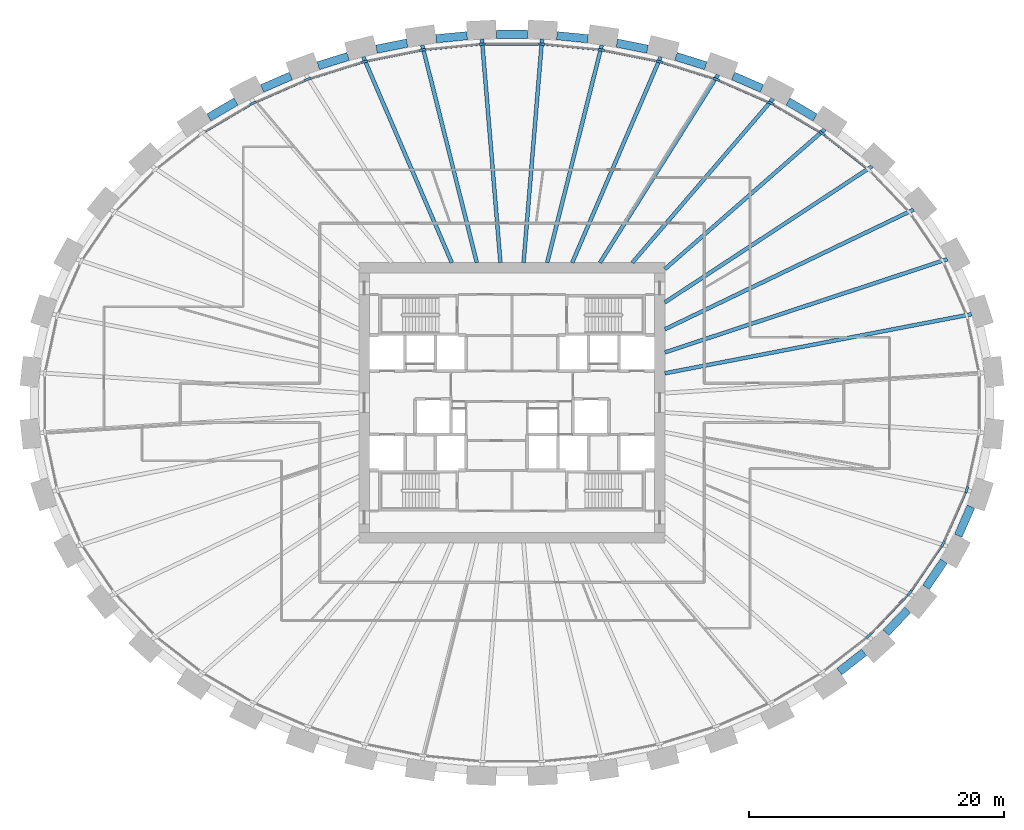
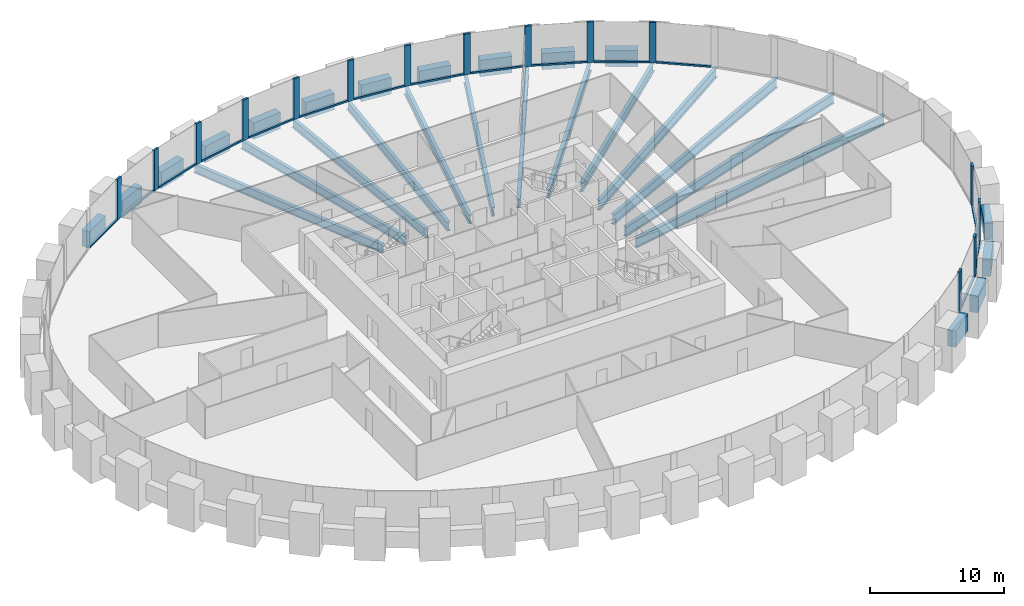
# One storey, part 3 of 10: 30 members, 28 beams, 1 element without a shape of its own.
"""IFC4 building model written with IfcOpenShell, lengths in metres."""

from ifc_helpers import new_model, si_unit, direction, frame, origin, origin_2d, place, context, subcontext, project, spatial, rectangle, i_section, extrude, source, transform, mapped, material, material_profile, profile_set, type_object, element, aggregate, save


model = new_model("IFC4")

# Units and contexts
model_context = context("Model", 3, precision=1e-05, world=origin(), true_north=direction((0.0, 1.0)))
body_context = subcontext(model_context, "Body", "Model", "MODEL_VIEW")
ifc_project = project(units=[si_unit("LENGTHUNIT", "METRE"), si_unit("AREAUNIT", "SQUARE_METRE"), si_unit("VOLUMEUNIT", "CUBIC_METRE"), si_unit("PLANEANGLEUNIT", "RADIAN"), si_unit("MASSUNIT", "GRAM", prefix="KILO")], contexts=[model_context])

# Site, building, storey
site_placement = place(None, origin())
site = spatial("IfcSite", under=ifc_project, at=site_placement, CompositionType="ELEMENT")
building_placement = place(site_placement, origin())
building = spatial("IfcBuilding", under=site, at=building_placement, Name="Embergate Tower", CompositionType="ELEMENT")
storey_placement = place(building_placement, frame((0.0, 0.0, 156.0)))
storey = spatial("IfcBuildingStorey", under=building, at=storey_placement, Name="L34", CompositionType="ELEMENT", Elevation=156.0)

# Beams
ifc_material_1 = material(Name="Concrete C70", Category="concrete")
ifc_material_profile_1 = material_profile(ifc_material_1, rectangle(XDim=0.64990234375, YDim=1.5, at=origin_2d()), Name="RC 650x1500")
ifc_profile_set_1 = profile_set([ifc_material_profile_1], Name="Concrete C70")
beam_type_1 = type_object("IfcBeamType", Name="Spandrel beam RC 650x1500 C70", PredefinedType="BEAM", material=ifc_profile_set_1)
shared_shape_1 = source(origin(), body_context, "Body", "SweptSolid", [
    extrude(rectangle(XDim=0.64990234375, YDim=1.5, at=origin_2d()), origin(), (0.0, 0.0, 1.0), 2.48828125),
])
beam_1_placement = place(storey_placement, frame((35.0419921875, -10.43505859375, 0.0), z_axis=(0.401472379967, 0.91587113074, 0.0), x_axis=(-0.91587113074, 0.401472379967, 0.0)))
element("IfcBeam", 1, at=beam_1_placement, inside=storey, type_object=beam_type_1, Name="SPN-L34-41", PredefinedType="BEAM", context=body_context, shape_type="MappedRepresentation", body=[
    mapped(shared_shape_1, transform((0.0, 0.0, 0.0))),
])
shared_shape_2 = source(origin(), body_context, "Body", "SweptSolid", [
    extrude(rectangle(XDim=0.64990234375, YDim=1.5, at=origin_2d()), origin(), (0.0, 0.0, 1.0), 2.4775390625),
])
beam_2_placement = place(storey_placement, frame((32.51806640625, -14.486083984375, 0.0), z_axis=(0.562159078618, 0.827029123022, 0.0), x_axis=(-0.827029123022, 0.562159078618, 0.0)))
element("IfcBeam", 2, at=beam_2_placement, inside=storey, type_object=beam_type_1, Name="SPN-L34-40", PredefinedType="BEAM", context=body_context, shape_type="MappedRepresentation", body=[
    mapped(shared_shape_2, transform((0.0, 0.0, 0.0))),
])
shared_shape_3 = source(origin(), body_context, "Body", "SweptSolid", [
    extrude(rectangle(XDim=0.64990234375, YDim=1.5, at=origin_2d()), origin(), (0.0, 0.0, 1.0), 2.473388671875),
])
beam_3_placement = place(storey_placement, frame((29.364990234375, -18.06494140625, 0.0), z_axis=(0.69012823406, 0.723687101276, 0.0), x_axis=(-0.723687101276, 0.69012823406, 0.0)))
element("IfcBeam", 3, at=beam_3_placement, inside=storey, type_object=beam_type_1, Name="SPN-L34-39", PredefinedType="BEAM", context=body_context, shape_type="MappedRepresentation", body=[
    mapped(shared_shape_3, transform((0.0, 0.0, 0.0))),
])
shared_shape_4 = source(origin(), body_context, "Body", "SweptSolid", [
    extrude(rectangle(XDim=0.64990234375, YDim=1.5, at=origin_2d()), origin(), (0.0, 0.0, 1.0), 2.466552734375),
])
beam_4_placement = place(storey_placement, frame((25.702880859375, -21.112060546875, 0.0), z_axis=(0.788172909908, 0.615453868367, 0.0), x_axis=(-0.615453868367, 0.788172909908, 0.0)))
element("IfcBeam", 4, at=beam_4_placement, inside=storey, type_object=beam_type_1, Name="SPN-L34-38", PredefinedType="BEAM", context=body_context, shape_type="MappedRepresentation", body=[
    mapped(shared_shape_4, transform((0.0, 0.0, 0.0))),
])
shared_shape_5 = source(origin(), body_context, "Body", "SweptSolid", [
    extrude(rectangle(XDim=0.64990234375, YDim=1.5, at=origin_2d()), origin(), (0.0, 0.0, 1.0), 2.46142578125),
])
for number, where, z_axis, x_axis, name in (
    (5, (23.801025390625, 22.405029296875, 0.0), (-0.86214832468, 0.506655964389, 0.0), (-0.506655964389, -0.86214832468, 0.0), "SPN-L34-05"),
    (6, (-21.678955078125, 23.652099609375, 0.0), (-0.86214832468, -0.506655964389, 0.0), (0.506655964389, -0.86214832468, 0.0), "SPN-L34-15"),
):
    element("IfcBeam", number, at=place(storey_placement, frame(where, z_axis=z_axis, x_axis=x_axis)), inside=storey, type_object=beam_type_1, Name=name, PredefinedType="BEAM", context=body_context, shape_type="MappedRepresentation", body=[
        mapped(shared_shape_5, transform((0.0, 0.0, 0.0))),
    ])
shared_shape_6 = source(origin(), body_context, "Body", "SweptSolid", [
    extrude(rectangle(XDim=0.64990234375, YDim=1.5, at=origin_2d()), origin(), (0.0, 0.0, 1.0), 2.456787109375),
])
for number, where, z_axis, x_axis, name in (
    (7, (19.62109375, 24.679931640625, 0.0), (-0.916257660854, 0.40058943936, 0.0), (-0.40058943936, -0.916257660854, 0.0), "SPN-L34-06"),
    (8, (-17.3701171875, 25.6640625, 0.0), (-0.916257660854, -0.40058943936, 0.0), (0.40058943936, -0.916257660854, 0.0), "SPN-L34-14"),
):
    element("IfcBeam", number, at=place(storey_placement, frame(where, z_axis=z_axis, x_axis=x_axis)), inside=storey, type_object=beam_type_1, Name=name, PredefinedType="BEAM", context=body_context, shape_type="MappedRepresentation", body=[
        mapped(shared_shape_6, transform((0.0, 0.0, 0.0))),
    ])
shared_shape_7 = source(origin(), body_context, "Body", "SweptSolid", [
    extrude(rectangle(XDim=0.64990234375, YDim=1.5, at=origin_2d()), origin(), (0.0, 0.0, 1.0), 2.4541015625),
])
for number, where, z_axis, x_axis, name in (
    (9, (15.215087890625, 26.468017578125, 0.0), (-0.954736297307, 0.29745353016, 0.0), (-0.29745353016, -0.954736297307, 0.0), "SPN-L34-07"),
    (10, (-12.8720703125, 27.197998046875, 0.0), (-0.954736297307, -0.29745353016, 0.0), (0.29745353016, -0.954736297307, 0.0), "SPN-L34-13"),
):
    element("IfcBeam", number, at=place(storey_placement, frame(where, z_axis=z_axis, x_axis=x_axis)), inside=storey, type_object=beam_type_1, Name=name, PredefinedType="BEAM", context=body_context, shape_type="MappedRepresentation", body=[
        mapped(shared_shape_7, transform((0.0, 0.0, 0.0))),
    ])
shared_shape_8 = source(origin(), body_context, "Body", "SweptSolid", [
    extrude(rectangle(XDim=0.64990234375, YDim=1.5, at=origin_2d()), origin(), (0.0, 0.0, 1.0), 2.453125),
])
for number, where, z_axis, x_axis, name in (
    (11, (10.64306640625, 27.76611328125, 0.0), (-0.980431102511, 0.196862523679, 0.0), (-0.196862523679, -0.980431102511, 0.0), "SPN-L34-08"),
    (12, (-8.238037109375, 28.2490234375, 0.0), (-0.980431102511, -0.196862523679, 0.0), (0.196862523679, -0.980431102511, 0.0), "SPN-L34-12"),
):
    element("IfcBeam", number, at=place(storey_placement, frame(where, z_axis=z_axis, x_axis=x_axis)), inside=storey, type_object=beam_type_1, Name=name, PredefinedType="BEAM", context=body_context, shape_type="MappedRepresentation", body=[
        mapped(shared_shape_8, transform((0.0, 0.0, 0.0))),
    ])
shared_shape_9 = source(origin(), body_context, "Body", "SweptSolid", [
    extrude(rectangle(XDim=0.64990234375, YDim=1.5, at=origin_2d()), origin(), (0.0, 0.0, 1.0), 2.45166015625),
])
for number, where, z_axis, x_axis, name in (
    (13, (5.962890625, 28.587890625, 0.0), (-0.995197569904, 0.097886653113, 0.0), (-0.097886653113, -0.995197569904, 0.0), "SPN-L34-09"),
    (14, (-3.52294921875, 28.827880859375, 0.0), (-0.995197569904, -0.097886653113, 0.0), (0.097886653113, -0.995197569904, 0.0), "SPN-L34-11"),
):
    element("IfcBeam", number, at=place(storey_placement, frame(where, z_axis=z_axis, x_axis=x_axis)), inside=storey, type_object=beam_type_1, Name=name, PredefinedType="BEAM", context=body_context, shape_type="MappedRepresentation", body=[
        mapped(shared_shape_9, transform((0.0, 0.0, 0.0))),
    ])
shared_shape_10 = source(origin(), body_context, "Body", "SweptSolid", [
    extrude(rectangle(XDim=0.64990234375, YDim=1.5, at=origin_2d()), origin(), (0.0, 0.0, 1.0), 2.4521484375),
])
beam_5_placement = place(storey_placement, frame((1.22607421875, 28.94091796875, 0.0), z_axis=(-1.0, 0.0, 0.0), x_axis=(0.0, -1.0, 0.0)))
element("IfcBeam", 15, at=beam_5_placement, inside=storey, type_object=beam_type_1, Name="SPN-L34-10", PredefinedType="BEAM", context=body_context, shape_type="MappedRepresentation", body=[
    mapped(shared_shape_10, transform((0.0, 0.0, 0.0))),
])
ifc_material_2 = material(Name="Steel Q355B", Category="steel")
ifc_material_profile_2 = material_profile(ifc_material_2, i_section(OverallWidth=0.300048828125, OverallDepth=0.89990234375, WebThickness=0.01611328125, FlangeThickness=0.028076171875, FilletRadius=0.028076171875, at=origin_2d()), Name="HN 900x300x16x28")
ifc_profile_set_2 = profile_set([ifc_material_profile_2], Name="Steel Q355 grade B")
beam_type_2 = type_object("IfcBeamType", Name="Radial girder HN 900x300x16x28", PredefinedType="BEAM", material=ifc_profile_set_2)
shared_shape_11 = source(origin(), body_context, "Body", "SweptSolid", [
    extrude(i_section(OverallWidth=0.300048828125, OverallDepth=0.89990234375, WebThickness=0.01611328125, FlangeThickness=0.028076171875, FilletRadius=0.028076171875, at=origin_2d()), origin(), (0.0, 0.0, 1.0), 24.52392578125),
])
beam_6_placement = place(storey_placement, frame((36.080078125, 6.958984375, -0.64990234375), z_axis=(-0.981906046022, -0.189368732333, 0.0), x_axis=(0.189368732333, -0.981906046022, 0.0)))
element("IfcBeam", 16, at=beam_6_placement, inside=storey, type_object=beam_type_2, Name="GIR-L34-01", PredefinedType="BEAM", context=body_context, shape_type="MappedRepresentation", body=[
    mapped(shared_shape_11, transform((0.0, 0.0, 0.0))),
])
shared_shape_12 = source(origin(), body_context, "Body", "SweptSolid", [
    extrude(i_section(OverallWidth=0.300048828125, OverallDepth=0.89990234375, WebThickness=0.01611328125, FlangeThickness=0.028076171875, FilletRadius=0.028076171875, at=origin_2d()), origin(), (0.0, 0.0, 1.0), 23.36328125),
])
beam_7_placement = place(storey_placement, frame((34.18798828125, 11.27490234375, -0.64990234375), z_axis=(-0.949694119995, -0.313178987877, 0.0), x_axis=(0.313178987877, -0.949694119995, 0.0)))
element("IfcBeam", 17, at=beam_7_placement, inside=storey, type_object=beam_type_2, Name="GIR-L34-02", PredefinedType="BEAM", context=body_context, shape_type="MappedRepresentation", body=[
    mapped(shared_shape_12, transform((0.0, 0.0, 0.0))),
])
shared_shape_13 = source(origin(), body_context, "Body", "SweptSolid", [
    extrude(i_section(OverallWidth=0.300048828125, OverallDepth=0.89990234375, WebThickness=0.01611328125, FlangeThickness=0.028076171875, FilletRadius=0.028076171875, at=origin_2d()), origin(), (0.0, 0.0, 1.0), 21.680419921875),
])
beam_8_placement = place(storey_placement, frame((31.537109375, 15.172119140625, -0.64990234375), z_axis=(-0.90113839793, -0.433531530315, 0.0), x_axis=(0.433531530315, -0.90113839793, 0.0)))
element("IfcBeam", 18, at=beam_8_placement, inside=storey, type_object=beam_type_2, Name="GIR-L34-03", PredefinedType="BEAM", context=body_context, shape_type="MappedRepresentation", body=[
    mapped(shared_shape_13, transform((0.0, 0.0, 0.0))),
])
shared_shape_14 = source(origin(), body_context, "Body", "SweptSolid", [
    extrude(i_section(OverallWidth=0.300048828125, OverallDepth=0.89990234375, WebThickness=0.01611328125, FlangeThickness=0.028076171875, FilletRadius=0.028076171875, at=origin_2d()), origin(), (0.0, 0.0, 1.0), 19.484130859375),
])
beam_9_placement = place(storey_placement, frame((28.283935546875, 18.5830078125, -0.64990234375), z_axis=(-0.835750168369, -0.549109876137, 0.0), x_axis=(0.549109876137, -0.835750168369, 0.0)))
element("IfcBeam", 19, at=beam_9_placement, inside=storey, type_object=beam_type_2, Name="GIR-L34-04", PredefinedType="BEAM", context=body_context, shape_type="MappedRepresentation", body=[
    mapped(shared_shape_14, transform((0.0, 0.0, 0.0))),
])
ifc_material_profile_3 = material_profile(ifc_material_2, i_section(OverallWidth=0.300048828125, OverallDepth=0.800048828125, WebThickness=0.013916015625, FlangeThickness=0.02587890625, FilletRadius=0.028076171875, at=origin_2d()), Name="HN 800x300x14x26")
ifc_profile_set_3 = profile_set([ifc_material_profile_3], Name="Steel Q355 grade B")
beam_type_3 = type_object("IfcBeamType", Name="Radial girder HN 800x300x14x26", PredefinedType="BEAM", material=ifc_profile_set_3)
shared_shape_15 = source(origin(), body_context, "Body", "SweptSolid", [
    extrude(i_section(OverallWidth=0.300048828125, OverallDepth=0.800048828125, WebThickness=0.013916015625, FlangeThickness=0.02587890625, FilletRadius=0.028076171875, at=origin_2d()), origin(), (0.0, 0.0, 1.0), 16.6953125),
])
beam_10_placement = place(storey_placement, frame((24.56689453125, 21.485107421875, -0.60009765625), z_axis=(-0.752719804108, -0.658341018397, 0.0), x_axis=(0.658341018397, -0.752719804108, 0.0)))
element("IfcBeam", 20, at=beam_10_placement, inside=storey, type_object=beam_type_3, Name="GIR-L34-05", PredefinedType="BEAM", context=body_context, shape_type="MappedRepresentation", body=[
    mapped(shared_shape_15, transform((0.0, 0.0, 0.0))),
])
shared_shape_16 = source(origin(), body_context, "Body", "SweptSolid", [
    extrude(i_section(OverallWidth=0.300048828125, OverallDepth=0.800048828125, WebThickness=0.013916015625, FlangeThickness=0.02587890625, FilletRadius=0.028076171875, at=origin_2d()), origin(), (0.0, 0.0, 1.0), 16.970458984375),
])
beam_11_placement = place(storey_placement, frame((20.501953125, 23.875, -0.60009765625), z_axis=(-0.651477073616, -0.758668321833, 0.0), x_axis=(0.758668321833, -0.651477073616, 0.0)))
element("IfcBeam", 21, at=beam_11_placement, inside=storey, type_object=beam_type_3, Name="GIR-L34-06", PredefinedType="BEAM", context=body_context, shape_type="MappedRepresentation", body=[
    mapped(shared_shape_16, transform((0.0, 0.0, 0.0))),
])
shared_shape_17 = source(origin(), body_context, "Body", "SweptSolid", [
    extrude(i_section(OverallWidth=0.300048828125, OverallDepth=0.800048828125, WebThickness=0.013916015625, FlangeThickness=0.02587890625, FilletRadius=0.028076171875, at=origin_2d()), origin(), (0.0, 0.0, 1.0), 17.433837890625),
])
beam_12_placement = place(storey_placement, frame((16.179931640625, 25.763916015625, -0.60009765625), z_axis=(-0.531834233156, -0.846848480216, 0.0), x_axis=(0.846848480216, -0.531834233156, 0.0)))
element("IfcBeam", 22, at=beam_12_placement, inside=storey, type_object=beam_type_3, Name="GIR-L34-07", PredefinedType="BEAM", context=body_context, shape_type="MappedRepresentation", body=[
    mapped(shared_shape_17, transform((0.0, 0.0, 0.0))),
])
shared_shape_18 = source(origin(), body_context, "Body", "SweptSolid", [
    extrude(i_section(OverallWidth=0.300048828125, OverallDepth=0.800048828125, WebThickness=0.013916015625, FlangeThickness=0.02587890625, FilletRadius=0.028076171875, at=origin_2d()), origin(), (0.0, 0.0, 1.0), 17.59619140625),
])
for number, where, z_axis, x_axis, name in (
    (23, (11.677001953125, 27.166015625, -0.60009765625), (-0.394912057755, -0.918718926898, 0.0), (0.918718926898, -0.394912057755, 0.0), "GIR-L34-08"),
    (24, (-11.677001953125, 27.166015625, -0.60009765625), (0.394912057755, -0.918718926898, 0.0), (0.918718926898, 0.394912057755, 0.0), "GIR-L34-13"),
):
    element("IfcBeam", number, at=place(storey_placement, frame(where, z_axis=z_axis, x_axis=x_axis)), inside=storey, type_object=beam_type_3, Name=name, PredefinedType="BEAM", context=body_context, shape_type="MappedRepresentation", body=[
        mapped(shared_shape_18, transform((0.0, 0.0, 0.0))),
    ])
shared_shape_19 = source(origin(), body_context, "Body", "SweptSolid", [
    extrude(i_section(OverallWidth=0.300048828125, OverallDepth=0.800048828125, WebThickness=0.013916015625, FlangeThickness=0.02587890625, FilletRadius=0.028076171875, at=origin_2d()), origin(), (0.0, 0.0, 1.0), 17.624267578125),
])
for number, where, z_axis, x_axis, name in (
    (25, (7.052001953125, 28.093994140625, -0.60009765625), (-0.24347096124, -0.969908186909, 0.0), (0.969908186909, -0.24347096124, 0.0), "GIR-L34-09"),
    (26, (-7.052001953125, 28.093994140625, -0.60009765625), (0.24347096124, -0.969908186909, 0.0), (0.969908186909, 0.24347096124, 0.0), "GIR-L34-12"),
):
    element("IfcBeam", number, at=place(storey_placement, frame(where, z_axis=z_axis, x_axis=x_axis)), inside=storey, type_object=beam_type_3, Name=name, PredefinedType="BEAM", context=body_context, shape_type="MappedRepresentation", body=[
        mapped(shared_shape_19, transform((0.0, 0.0, 0.0))),
    ])
shared_shape_20 = source(origin(), body_context, "Body", "SweptSolid", [
    extrude(i_section(OverallWidth=0.300048828125, OverallDepth=0.800048828125, WebThickness=0.013916015625, FlangeThickness=0.02587890625, FilletRadius=0.028076171875, at=origin_2d()), origin(), (0.0, 0.0, 1.0), 17.61572265625),
])
for number, where, z_axis, x_axis, name in (
    (27, (2.35888671875, 28.555908203125, -0.60009765625), (-0.0823102465, -0.996606754603, 0.0), (0.996606754603, -0.0823102465, 0.0), "GIR-L34-10"),
    (28, (-2.35888671875, 28.555908203125, -0.60009765625), (0.0823102465, -0.996606754603, 0.0), (0.996606754603, 0.0823102465, 0.0), "GIR-L34-11"),
):
    element("IfcBeam", number, at=place(storey_placement, frame(where, z_axis=z_axis, x_axis=x_axis)), inside=storey, type_object=beam_type_3, Name=name, PredefinedType="BEAM", context=body_context, shape_type="MappedRepresentation", body=[
        mapped(shared_shape_20, transform((0.0, 0.0, 0.0))),
    ])

# Curtain wall, members
ifc_material_3 = material(Name="Aluminium and glass", Category="aluminium")
curtain_wall_type = type_object("IfcCurtainWallType", Name="Recessed office glazing", PredefinedType="NOTDEFINED", material=ifc_material_3)
curtain_wall_placement = place(storey_placement, origin())
curtain_wall = element("IfcCurtainWall", 29, at=curtain_wall_placement, inside=storey, type_object=curtain_wall_type, Name="Recessed office glazing ring", ObjectType="RECESSED OFFICE GLAZING", PredefinedType="USERDEFINED")
ifc_material_4 = material(Name="Aluminium, thermally broken", Category="aluminium")
ifc_material_profile_4 = material_profile(ifc_material_4, rectangle(XDim=0.179931640625, YDim=0.52001953125, at=origin_2d()), Name="AL 520x180")
ifc_profile_set_4 = profile_set([ifc_material_profile_4], Name="Aluminium, thermally broken")
member_type_1 = type_object("IfcMemberType", Name="Office mullion", PredefinedType="MULLION", material=ifc_profile_set_4)
shared_shape_21 = source(origin(), body_context, "Body", "SweptSolid", [
    extrude(rectangle(XDim=0.179931640625, YDim=0.52001953125, at=origin_2d()), origin(), (0.0, 0.0, 1.0), 3.699951171875),
])
member_1_placement = place(storey_placement, frame((24.3486328125, 21.161376953125, 0.0), z_axis=(0.0, 0.0, 1.0), x_axis=(-0.562217618544, -0.826989328467, 0.0)))
member_1 = element("IfcMember", 30, at=member_1_placement, type_object=member_type_1, Name="CW mullion 6", PredefinedType="MULLION", context=body_context, shape_type="MappedRepresentation", body=[
    mapped(shared_shape_21, transform((0.0, 0.0, 0.0))),
])
member_2_placement = place(storey_placement, frame((20.3251953125, 23.52685546875, 0.0), z_axis=(0.0, 0.0, 1.0), x_axis=(-0.454511380526, -0.890740930334, 0.0)))
member_2 = element("IfcMember", 31, at=member_2_placement, type_object=member_type_1, Name="CW mullion 7", PredefinedType="MULLION", context=body_context, shape_type="MappedRepresentation", body=[
    mapped(shared_shape_21, transform((0.0, 0.0, 0.0))),
])
member_3_placement = place(storey_placement, frame((16.044921875, 25.3984375, 0.0), z_axis=(0.0, 0.0, 1.0), x_axis=(-0.349502682851, -0.936935363128, 0.0)))
member_3 = element("IfcMember", 32, at=member_3_placement, type_object=member_type_1, Name="CW mullion 8", PredefinedType="MULLION", context=body_context, shape_type="MappedRepresentation", body=[
    mapped(shared_shape_21, transform((0.0, 0.0, 0.0))),
])
member_4_placement = place(storey_placement, frame((11.581298828125, 26.78857421875, 0.0), z_axis=(0.0, 0.0, 1.0), x_axis=(-0.24731188137, -0.968935928394, 0.0)))
member_4 = element("IfcMember", 33, at=member_4_placement, type_object=member_type_1, Name="CW mullion 9", PredefinedType="MULLION", context=body_context, shape_type="MappedRepresentation", body=[
    mapped(shared_shape_21, transform((0.0, 0.0, 0.0))),
])
member_5_placement = place(storey_placement, frame((6.99560546875, 27.708251953125, 0.0), z_axis=(0.0, 0.0, 1.0), x_axis=(-0.147412382818, -0.989075118174, 0.0)))
member_5 = element("IfcMember", 34, at=member_5_placement, type_object=member_type_1, Name="CW mullion 10", PredefinedType="MULLION", context=body_context, shape_type="MappedRepresentation", body=[
    mapped(shared_shape_21, transform((0.0, 0.0, 0.0))),
])
member_6_placement = place(storey_placement, frame((2.33935546875, 28.166015625, 0.0), z_axis=(0.0, 0.0, 1.0), x_axis=(-0.048971796621, -0.998800161762, 0.0)))
member_6 = element("IfcMember", 35, at=member_6_placement, type_object=member_type_1, Name="CW mullion 11", PredefinedType="MULLION", context=body_context, shape_type="MappedRepresentation", body=[
    mapped(shared_shape_21, transform((0.0, 0.0, 0.0))),
])
member_7_placement = place(storey_placement, frame((-2.33935546875, 28.166015625, 0.0), z_axis=(0.0, 0.0, 1.0), x_axis=(0.048971796621, -0.998800161762, 0.0)))
member_7 = element("IfcMember", 36, at=member_7_placement, type_object=member_type_1, Name="CW mullion 12", PredefinedType="MULLION", context=body_context, shape_type="MappedRepresentation", body=[
    mapped(shared_shape_21, transform((0.0, 0.0, 0.0))),
])
member_8_placement = place(storey_placement, frame((-6.99560546875, 27.708251953125, 0.0), z_axis=(0.0, 0.0, 1.0), x_axis=(0.147412382818, -0.989075118174, 0.0)))
member_8 = element("IfcMember", 37, at=member_8_placement, type_object=member_type_1, Name="CW mullion 13", PredefinedType="MULLION", context=body_context, shape_type="MappedRepresentation", body=[
    mapped(shared_shape_21, transform((0.0, 0.0, 0.0))),
])
member_9_placement = place(storey_placement, frame((-11.581298828125, 26.78857421875, 0.0), z_axis=(0.0, 0.0, 1.0), x_axis=(0.24731188137, -0.968935928394, 0.0)))
member_9 = element("IfcMember", 38, at=member_9_placement, type_object=member_type_1, Name="CW mullion 14", PredefinedType="MULLION", context=body_context, shape_type="MappedRepresentation", body=[
    mapped(shared_shape_21, transform((0.0, 0.0, 0.0))),
])
member_10_placement = place(storey_placement, frame((-16.044921875, 25.3984375, 0.0), z_axis=(0.0, 0.0, 1.0), x_axis=(0.349502682851, -0.936935363128, 0.0)))
member_10 = element("IfcMember", 39, at=member_10_placement, type_object=member_type_1, Name="CW mullion 15", PredefinedType="MULLION", context=body_context, shape_type="MappedRepresentation", body=[
    mapped(shared_shape_21, transform((0.0, 0.0, 0.0))),
])
member_11_placement = place(storey_placement, frame((-20.3251953125, 23.52685546875, 0.0), z_axis=(0.0, 0.0, 1.0), x_axis=(0.454511380526, -0.890740930334, 0.0)))
member_11 = element("IfcMember", 40, at=member_11_placement, type_object=member_type_1, Name="CW mullion 16", PredefinedType="MULLION", context=body_context, shape_type="MappedRepresentation", body=[
    mapped(shared_shape_21, transform((0.0, 0.0, 0.0))),
])
member_12_placement = place(storey_placement, frame((28.023193359375, -18.29345703125, 0.0), z_axis=(0.0, 0.0, 1.0), x_axis=(-0.671226533956, 0.741252278319, 0.0)))
member_12 = element("IfcMember", 41, at=member_12_placement, type_object=member_type_1, Name="CW mullion 40", PredefinedType="MULLION", context=body_context, shape_type="MappedRepresentation", body=[
    mapped(shared_shape_21, transform((0.0, 0.0, 0.0))),
])
member_13_placement = place(storey_placement, frame((31.23486328125, -14.92578125, 0.0), z_axis=(0.0, 0.0, 1.0), x_axis=(-0.777872564355, 0.628422050555, 0.0)))
member_13 = element("IfcMember", 42, at=member_13_placement, type_object=member_type_1, Name="CW mullion 41", PredefinedType="MULLION", context=body_context, shape_type="MappedRepresentation", body=[
    mapped(shared_shape_21, transform((0.0, 0.0, 0.0))),
])
member_14_placement = place(storey_placement, frame((33.846923828125, -11.084716796875, 0.0), z_axis=(0.0, 0.0, 1.0), x_axis=(-0.875001895832, 0.484119491748, 0.0)))
member_14 = element("IfcMember", 43, at=member_14_placement, type_object=member_type_1, Name="CW mullion 42", PredefinedType="MULLION", context=body_context, shape_type="MappedRepresentation", body=[
    mapped(shared_shape_21, transform((0.0, 0.0, 0.0))),
])
member_15_placement = place(storey_placement, frame((35.708984375, -6.8388671875, 0.0), z_axis=(0.0, 0.0, 1.0), x_axis=(-0.951498334951, 0.307653894149, 0.0)))
member_15 = element("IfcMember", 44, at=member_15_placement, type_object=member_type_1, Name="CW mullion 43", PredefinedType="MULLION", context=body_context, shape_type="MappedRepresentation", body=[
    mapped(shared_shape_21, transform((0.0, 0.0, 0.0))),
])
ifc_material_profile_5 = material_profile(ifc_material_4, rectangle(XDim=0.179931640625, YDim=0.14990234375, at=origin_2d()), Name="AL 150x180")
ifc_profile_set_5 = profile_set([ifc_material_profile_5], Name="Aluminium, thermally broken")
member_type_2 = type_object("IfcMemberType", Name="Office sill transom", PredefinedType="USERDEFINED", material=ifc_profile_set_5)
shared_shape_22 = source(origin(), body_context, "Body", "SweptSolid", [
    extrude(rectangle(XDim=0.179931640625, YDim=0.14990234375, at=origin_2d()), origin(), (0.0, 0.0, 1.0), 4.1162109375),
])
member_16_placement = place(storey_placement, frame((33.951416015625, -10.8466796875, 0.074951171875), z_axis=(0.401593425876, 0.915818060694, 0.0), x_axis=(-0.915818060694, 0.401593425876, 0.0)))
member_16 = element("IfcMember", 45, at=member_16_placement, type_object=member_type_2, Name="CW transom 42.1", ObjectType="TRANSOM", PredefinedType="USERDEFINED", context=body_context, shape_type="MappedRepresentation", body=[
    mapped(shared_shape_22, transform((0.0, 0.0, 0.0))),
])
shared_shape_23 = source(origin(), body_context, "Body", "SweptSolid", [
    extrude(rectangle(XDim=0.179931640625, YDim=0.14990234375, at=origin_2d()), origin(), (0.0, 0.0, 1.0), 4.124755859375),
])
member_17_placement = place(storey_placement, frame((31.381103515625, -14.710693359375, 0.074951171875), z_axis=(0.562339161446, 0.826906686092, 0.0), x_axis=(-0.826906686092, 0.562339161446, 0.0)))
member_17 = element("IfcMember", 46, at=member_17_placement, type_object=member_type_2, Name="CW transom 41.1", ObjectType="TRANSOM", PredefinedType="USERDEFINED", context=body_context, shape_type="MappedRepresentation", body=[
    mapped(shared_shape_23, transform((0.0, 0.0, 0.0))),
])
shared_shape_24 = source(origin(), body_context, "Body", "SweptSolid", [
    extrude(rectangle(XDim=0.179931640625, YDim=0.14990234375, at=origin_2d()), origin(), (0.0, 0.0, 1.0), 4.133544921875),
])
member_18_placement = place(storey_placement, frame((28.20263671875, -18.105224609375, 0.074951171875), z_axis=(0.690134325915, 0.723681291864, 0.0), x_axis=(-0.723681291864, 0.690134325915, 0.0)))
member_18 = element("IfcMember", 47, at=member_18_placement, type_object=member_type_2, Name="CW transom 40.1", ObjectType="TRANSOM", PredefinedType="USERDEFINED", context=body_context, shape_type="MappedRepresentation", body=[
    mapped(shared_shape_24, transform((0.0, 0.0, 0.0))),
])
shared_shape_25 = source(origin(), body_context, "Body", "SweptSolid", [
    extrude(rectangle(XDim=0.179931640625, YDim=0.14990234375, at=origin_2d()), origin(), (0.0, 0.0, 1.0), 4.14111328125),
])
member_19_placement = place(storey_placement, frame((27.818115234375, 18.45361328125, 0.074951171875), z_axis=(-0.788312993649, 0.615274429864, 0.0), x_axis=(-0.615274429864, -0.788312993649, 0.0)))
member_19 = element("IfcMember", 48, at=member_19_placement, type_object=member_type_2, Name="CW transom 5.1", ObjectType="TRANSOM", PredefinedType="USERDEFINED", context=body_context, shape_type="MappedRepresentation", body=[
    mapped(shared_shape_25, transform((0.0, 0.0, 0.0))),
])
shared_shape_26 = source(origin(), body_context, "Body", "SweptSolid", [
    extrude(rectangle(XDim=0.179931640625, YDim=0.14990234375, at=origin_2d()), origin(), (0.0, 0.0, 1.0), 4.147216796875),
])
member_20_placement = place(storey_placement, frame((24.12451171875, 21.293212890625, 0.074951171875), z_axis=(-0.862065845043, 0.506796289263, 0.0), x_axis=(-0.506796289263, -0.862065845043, 0.0)))
member_20 = element("IfcMember", 49, at=member_20_placement, type_object=member_type_2, Name="CW transom 6.1", ObjectType="TRANSOM", PredefinedType="USERDEFINED", context=body_context, shape_type="MappedRepresentation", body=[
    mapped(shared_shape_26, transform((0.0, 0.0, 0.0))),
])
member_21_placement = place(storey_placement, frame((-20.54931640625, 23.39501953125, 0.074951171875), z_axis=(-0.862065845043, -0.506796289263, 0.0), x_axis=(0.506796289263, -0.862065845043, 0.0)))
member_21 = element("IfcMember", 50, at=member_21_placement, type_object=member_type_2, Name="CW transom 16.1", ObjectType="TRANSOM", PredefinedType="USERDEFINED", context=body_context, shape_type="MappedRepresentation", body=[
    mapped(shared_shape_26, transform((0.0, 0.0, 0.0))),
])
shared_shape_27 = source(origin(), body_context, "Body", "SweptSolid", [
    extrude(rectangle(XDim=0.179931640625, YDim=0.14990234375, at=origin_2d()), origin(), (0.0, 0.0, 1.0), 4.151611328125),
])
member_22_placement = place(storey_placement, frame((20.087158203125, 23.630859375, 0.074951171875), z_axis=(-0.916236944251, 0.400636820562, 0.0), x_axis=(-0.400636820562, -0.916236944251, 0.0)))
member_22 = element("IfcMember", 51, at=member_22_placement, type_object=member_type_2, Name="CW transom 7.1", ObjectType="TRANSOM", PredefinedType="USERDEFINED", context=body_context, shape_type="MappedRepresentation", body=[
    mapped(shared_shape_27, transform((0.0, 0.0, 0.0))),
])
member_23_placement = place(storey_placement, frame((-16.283203125, 25.294189453125, 0.074951171875), z_axis=(-0.916236944251, -0.400636820562, 0.0), x_axis=(0.400636820562, -0.916236944251, 0.0)))
member_23 = element("IfcMember", 52, at=member_23_placement, type_object=member_type_2, Name="CW transom 15.1", ObjectType="TRANSOM", PredefinedType="USERDEFINED", context=body_context, shape_type="MappedRepresentation", body=[
    mapped(shared_shape_27, transform((0.0, 0.0, 0.0))),
])
shared_shape_28 = source(origin(), body_context, "Body", "SweptSolid", [
    extrude(rectangle(XDim=0.179931640625, YDim=0.14990234375, at=origin_2d()), origin(), (0.0, 0.0, 1.0), 4.155029296875),
])
member_24_placement = place(storey_placement, frame((15.796630859375, 25.4755859375, 0.074951171875), z_axis=(-0.95476079815, 0.29737487842, 0.0), x_axis=(-0.29737487842, -0.95476079815, 0.0)))
member_24 = element("IfcMember", 53, at=member_24_placement, type_object=member_type_2, Name="CW transom 8.1", ObjectType="TRANSOM", PredefinedType="USERDEFINED", context=body_context, shape_type="MappedRepresentation", body=[
    mapped(shared_shape_28, transform((0.0, 0.0, 0.0))),
])
member_25_placement = place(storey_placement, frame((-11.82958984375, 26.711181640625, 0.074951171875), z_axis=(-0.95476079815, -0.29737487842, 0.0), x_axis=(0.29737487842, -0.95476079815, 0.0)))
member_25 = element("IfcMember", 54, at=member_25_placement, type_object=member_type_2, Name="CW transom 14.1", ObjectType="TRANSOM", PredefinedType="USERDEFINED", context=body_context, shape_type="MappedRepresentation", body=[
    mapped(shared_shape_28, transform((0.0, 0.0, 0.0))),
])
shared_shape_29 = source(origin(), body_context, "Body", "SweptSolid", [
    extrude(rectangle(XDim=0.179931640625, YDim=0.14990234375, at=origin_2d()), origin(), (0.0, 0.0, 1.0), 4.156982421875),
])
member_26_placement = place(storey_placement, frame((11.326416015625, 26.839599609375, 0.074951171875), z_axis=(-0.98047889782, 0.196624339617, 0.0), x_axis=(-0.196624339617, -0.98047889782, 0.0)))
member_26 = element("IfcMember", 55, at=member_26_placement, type_object=member_type_2, Name="CW transom 9.1", ObjectType="TRANSOM", PredefinedType="USERDEFINED", context=body_context, shape_type="MappedRepresentation", body=[
    mapped(shared_shape_29, transform((0.0, 0.0, 0.0))),
])
member_27_placement = place(storey_placement, frame((-7.25048828125, 27.656982421875, 0.074951171875), z_axis=(-0.98047889782, -0.196624339617, 0.0), x_axis=(0.196624339617, -0.98047889782, 0.0)))
member_27 = element("IfcMember", 56, at=member_27_placement, type_object=member_type_2, Name="CW transom 13.1", ObjectType="TRANSOM", PredefinedType="USERDEFINED", context=body_context, shape_type="MappedRepresentation", body=[
    mapped(shared_shape_29, transform((0.0, 0.0, 0.0))),
])
shared_shape_30 = source(origin(), body_context, "Body", "SweptSolid", [
    extrude(rectangle(XDim=0.179931640625, YDim=0.14990234375, at=origin_2d()), origin(), (0.0, 0.0, 1.0), 4.15869140625),
])
member_28_placement = place(storey_placement, frame((6.73681640625, 27.733642578125, 0.074951171875), z_axis=(-0.995205470566, 0.097806295066, 0.0), x_axis=(-0.097806295066, -0.995205470566, 0.0)))
member_28 = element("IfcMember", 57, at=member_28_placement, type_object=member_type_2, Name="CW transom 10.1", ObjectType="TRANSOM", PredefinedType="USERDEFINED", context=body_context, shape_type="MappedRepresentation", body=[
    mapped(shared_shape_30, transform((0.0, 0.0, 0.0))),
])
member_29_placement = place(storey_placement, frame((2.079345703125, 28.166015625, 0.074951171875), z_axis=(-1.0, 0.0, 0.0), x_axis=(0.0, -1.0, 0.0)))
member_29 = element("IfcMember", 58, at=member_29_placement, type_object=member_type_2, Name="CW transom 11.1", ObjectType="TRANSOM", PredefinedType="USERDEFINED", context=body_context, shape_type="MappedRepresentation", body=[
    mapped(shared_shape_30, transform((0.0, 0.0, 0.0))),
])
member_30_placement = place(storey_placement, frame((-2.59814453125, 28.140380859375, 0.074951171875), z_axis=(-0.995205470566, -0.097806295066, 0.0), x_axis=(0.097806295066, -0.995205470566, 0.0)))
member_30 = element("IfcMember", 59, at=member_30_placement, type_object=member_type_2, Name="CW transom 12.1", ObjectType="TRANSOM", PredefinedType="USERDEFINED", context=body_context, shape_type="MappedRepresentation", body=[
    mapped(shared_shape_30, transform((0.0, 0.0, 0.0))),
])
aggregate(curtain_wall, [member_1, member_2, member_3, member_4, member_5, member_6, member_7, member_8, member_9, member_10, member_11, member_12, member_13, member_14, member_15, member_19, member_20, member_22, member_24, member_26, member_28, member_29, member_30, member_27, member_25, member_23, member_21, member_18, member_17, member_16])

save(model, "model.ifc")
